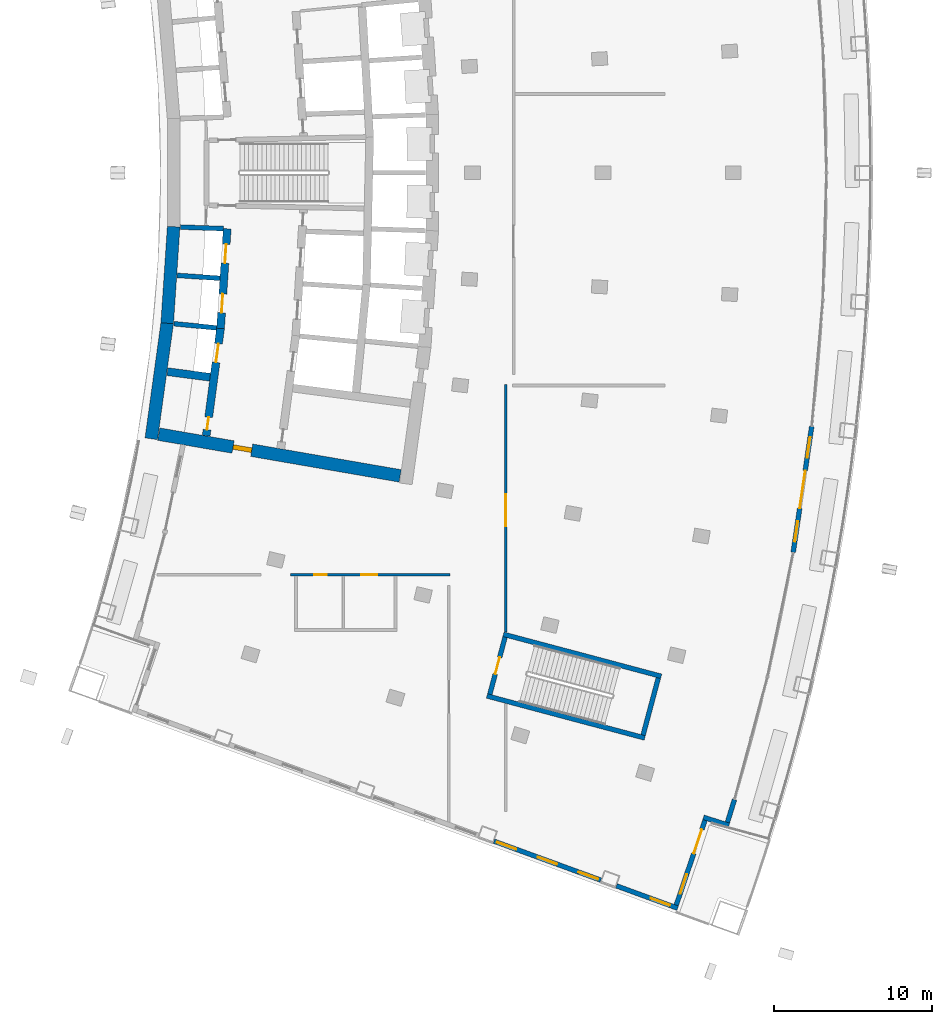
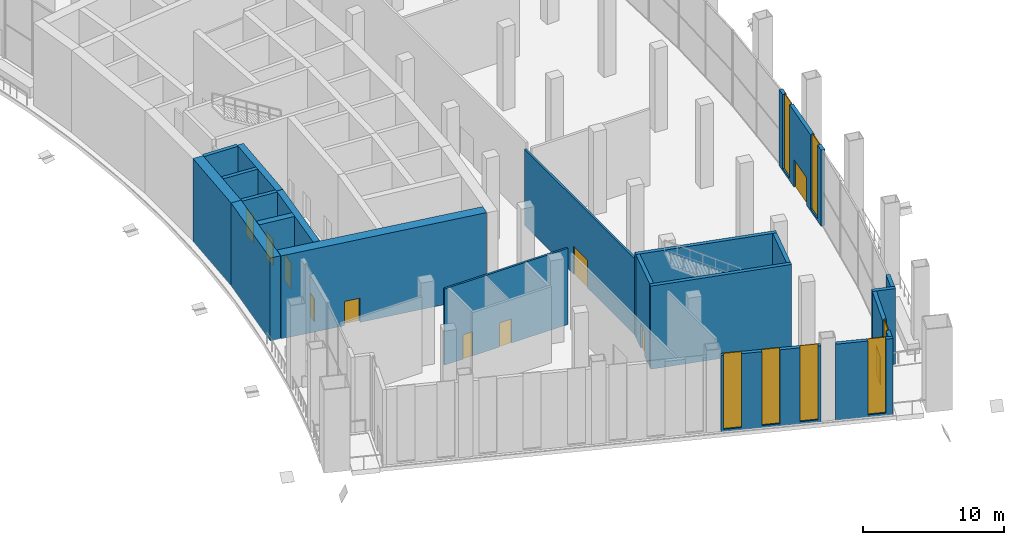
# One storey, part 9 of 18: 21 walls, 11 doors, 7 windows, 18 openings.
"""IFC4 building model written with IfcOpenShell, lengths in metres."""

from ifc_helpers import new_model, si_unit, direction, frame, frame_2d, origin, place, context, subcontext, project, spatial, rectangle, extrude, material, layer, layer_set, type_object, element, fill, save


model = new_model("IFC4")

# Units and contexts
model_context = context("Model", 3, precision=1e-05, world=origin(), true_north=direction((0.0, 1.0)))
body_context = subcontext(model_context, "Body", "Model", "MODEL_VIEW")
ifc_project = project(units=[si_unit("LENGTHUNIT", "METRE"), si_unit("AREAUNIT", "SQUARE_METRE"), si_unit("VOLUMEUNIT", "CUBIC_METRE"), si_unit("PLANEANGLEUNIT", "RADIAN"), si_unit("MASSUNIT", "GRAM", prefix="KILO")], contexts=[model_context])

# Site, building, storey
site_placement = place(None, origin())
site = spatial("IfcSite", under=ifc_project, at=site_placement, CompositionType="ELEMENT")
building_placement = place(site_placement, origin())
building = spatial("IfcBuilding", under=site, at=building_placement, Name="Alderwake Tower", CompositionType="ELEMENT")
storey_placement = place(building_placement, frame((0.0, 0.0, 125.60009765625)))
storey = spatial("IfcBuildingStorey", under=building, at=storey_placement, Name="L31", CompositionType="ELEMENT", Elevation=125.60009765625)

# Walls
ifc_material_1 = material(Name="Concrete C70/85", Category="concrete")
ifc_layer_1 = layer(ifc_material_1, 0.800048828125)
ifc_layer_set_1 = layer_set([ifc_layer_1], Name="Core wall outer 800 C70-85")
wall_type_1 = type_object("IfcWallType", Name="Core wall outer 800 C70-85", PredefinedType="SHEAR", material=ifc_layer_set_1)
wall_1_placement = place(storey_placement, frame((15.419921875, 44.12890625, 0.0), z_axis=(0.0, 0.0, 1.0), x_axis=(0.13634256868, 0.990661750531, 0.0)))
element("IfcWall", 1, at=wall_1_placement, inside=storey, type_object=wall_type_1, Name="Core wall CW.042", PredefinedType="SHEAR", context=body_context, shape_type="SweptSolid", body=[
    extrude(rectangle(XDim=7.42578125, YDim=0.800048828125, at=frame_2d((3.712890625, 0.0))), origin(), (0.0, 0.0, 1.0), 7.199951171875),
])
wall_2_placement = place(storey_placement, frame((16.429443359375, 51.45654296875, 0.0), z_axis=(0.0, 0.0, 1.0), x_axis=(0.066885651624, 0.997760647454, 0.0)))
element("IfcWall", 2, at=wall_2_placement, inside=storey, type_object=wall_type_1, Name="Core wall CW.041", PredefinedType="SHEAR", context=body_context, shape_type="SweptSolid", body=[
    extrude(rectangle(XDim=6.14306640625, YDim=0.800048828125, at=frame_2d((3.071533203125, 0.0))), origin(), (0.0, 0.0, 1.0), 7.199951171875),
])

# Wall, opening, door
wall_3_placement = place(storey_placement, frame((31.20458984375, 41.776611328125, 0.0), z_axis=(0.0, 0.0, 1.0), x_axis=(-0.985386537175, 0.170333121719, 0.0)))
wall_3 = element("IfcWall", 3, at=wall_3_placement, inside=storey, type_object=wall_type_1, Name="Core wall CW.071", PredefinedType="SHEAR", context=body_context, shape_type="SweptSolid", body=[
    extrude(rectangle(XDim=15.537109375, YDim=0.800048828125, at=frame_2d((7.7685546875, 0.0))), origin(), (0.0, 0.0, 1.0), 7.199951171875),
])
opening_1_placement = place(wall_3_placement, frame((9.5537109375, 0.0, 0.0)))
opening_1 = element("IfcOpeningElement", 4, at=opening_1_placement, cuts=wall_3, Name="Opening C003", PredefinedType="OPENING", context=body_context, shape_type="SweptSolid", body=[
    extrude(rectangle(XDim=1.199951171875, YDim=2.10009765625, at=frame_2d((0.60009765625, 1.050048828125))), frame((0.0, 0.409912109375, 0.0), z_axis=(0.0, -1.0, 0.0), x_axis=(1.0, 0.0, 0.0)), (0.0, 0.0, 1.0), 0.820068359375),
])
ifc_material_2 = material(Name="Steel-framed fire door leaf", Category="steel")
door_type_1 = type_object("IfcDoorType", Name="Core lobby exit door 1200 fire-rated", OperationType="SINGLE_SWING_LEFT", PredefinedType="DOOR", material=ifc_material_2)
door_1_placement = place(opening_1_placement, origin())
door_1 = element("IfcDoor", 5, at=door_1_placement, inside=storey, type_object=door_type_1, Name="Lobby door", OperationType="SINGLE_SWING_LEFT", OverallHeight=2.10009765625, OverallWidth=1.199951171875, PredefinedType="DOOR", context=body_context, shape_type="SweptSolid", body=[
    extrude(rectangle(XDim=1.199951171875, YDim=2.10009765625, at=frame_2d((0.60009765625, 1.050048828125))), frame((0.0, 0.14990234375, 0.0), z_axis=(0.0, -1.0, 0.0), x_axis=(1.0, 0.0, 0.0)), (0.0, 0.0, 1.0), 0.300048828125),
])
fill(opening_1, door_1)

# Walls
ifc_material_3 = material(Name="Concrete C70/85", Category="concrete")
ifc_layer_2 = layer(ifc_material_3, 0.300048828125)
ifc_layer_set_2 = layer_set([ifc_layer_2], Name="Core wall shaft 300 C70-85")
wall_type_2 = type_object("IfcWallType", Name="Core wall shaft 300 C70-85", PredefinedType="SHEAR", material=ifc_layer_set_2)
wall_4_placement = place(storey_placement, frame((16.8583984375, 51.4287109375, 0.0), z_axis=(0.0, 0.0, 1.0), x_axis=(0.995157330456, -0.098294901394, 0.0)))
element("IfcWall", 6, at=wall_4_placement, inside=storey, type_object=wall_type_2, Name="Core wall CW.065", PredefinedType="SHEAR", context=body_context, shape_type="SweptSolid", body=[
    extrude(rectangle(XDim=2.7197265625, YDim=0.300048828125, at=frame_2d((1.35986328125, 0.0))), origin(), (0.0, 0.0, 1.0), 7.199951171875),
])
wall_5_placement = place(storey_placement, frame((17.06396484375, 54.492919921875, 0.0), z_axis=(0.0, 0.0, 1.0), x_axis=(0.997758851023, -0.066912444326, 0.0)))
element("IfcWall", 7, at=wall_5_placement, inside=storey, type_object=wall_type_2, Name="Core wall CW.079", PredefinedType="SHEAR", context=body_context, shape_type="SweptSolid", body=[
    extrude(rectangle(XDim=2.71826171875, YDim=0.300048828125, at=frame_2d((1.359130859375, 0.0))), origin(), (0.0, 0.0, 1.0), 7.199951171875),
])
wall_6_placement = place(storey_placement, frame((17.269287109375, 57.556884765625, 0.0), z_axis=(0.0, 0.0, 1.0), x_axis=(0.999374351644, -0.035368139275, 0.0)))
element("IfcWall", 8, at=wall_6_placement, inside=storey, type_object=wall_type_2, Name="Core wall CW.076", PredefinedType="SHEAR", context=body_context, shape_type="SweptSolid", body=[
    extrude(rectangle(XDim=2.7197265625, YDim=0.300048828125, at=frame_2d((1.35986328125, 0.0))), origin(), (0.0, 0.0, 1.0), 7.199951171875),
])

# Wall, openings, doors
ifc_material_4 = material(Name="Concrete C70/85", Category="concrete")
ifc_layer_3 = layer(ifc_material_4, 0.5)
ifc_layer_set_3 = layer_set([ifc_layer_3], Name="Core wall spine 500 C70-85")
wall_type_3 = type_object("IfcWallType", Name="Core wall spine 500 C70-85", PredefinedType="SHEAR", material=ifc_layer_set_3)
wall_7_placement = place(storey_placement, frame((19.81494140625, 51.145263671875, 0.0), z_axis=(0.0, 0.0, 1.0), x_axis=(-0.132349652161, -0.991203091991, 0.0)))
wall_7 = element("IfcWall", 9, at=wall_7_placement, inside=storey, type_object=wall_type_3, Name="Core wall CW.033", PredefinedType="SHEAR", context=body_context, shape_type="SweptSolid", body=[
    extrude(rectangle(XDim=6.880615234375, YDim=0.5, at=frame_2d((3.4404296875, 0.0))), origin(), (0.0, 0.0, 1.0), 7.199951171875),
])
opening_2_placement = place(wall_7_placement, frame((0.99072265625, 0.0, 0.0)))
opening_2 = element("IfcOpeningElement", 10, at=opening_2_placement, cuts=wall_7, Name="Opening LD-LP1", PredefinedType="OPENING", context=body_context, shape_type="SweptSolid", body=[
    extrude(rectangle(XDim=1.199951171875, YDim=2.300048828125, at=frame_2d((0.60009765625, 1.14990234375))), frame((0.0, 0.260009765625, 0.0), z_axis=(0.0, -1.0, 0.0), x_axis=(1.0, 0.0, 0.0)), (0.0, 0.0, 1.0), 0.52001953125),
])
opening_3_placement = place(wall_7_placement, frame((5.698486328125, 0.0, 0.0)))
opening_3 = element("IfcOpeningElement", 11, at=opening_3_placement, cuts=wall_7, Name="Opening C007", PredefinedType="OPENING", context=body_context, shape_type="SweptSolid", body=[
    extrude(rectangle(XDim=0.800048828125, YDim=2.0, at=frame_2d((0.39990234375, 1.0))), frame((0.0, 0.260009765625, 0.0), z_axis=(0.0, -1.0, 0.0), x_axis=(1.0, 0.0, 0.0)), (0.0, 0.0, 1.0), 0.52001953125),
])
ifc_material_5 = material(Name="Stainless steel sliding leaf", Category="steel")
door_type_2 = type_object("IfcDoorType", Name="Lift landing door 1200", OperationType="SLIDING_TO_LEFT", PredefinedType="DOOR", material=ifc_material_5)
door_2_placement = place(opening_2_placement, origin())
door_2 = element("IfcDoor", 12, at=door_2_placement, inside=storey, type_object=door_type_2, Name="Lift landing door LP1", OperationType="SLIDING_TO_LEFT", OverallHeight=2.300048828125, OverallWidth=1.199951171875, PredefinedType="DOOR", context=body_context, shape_type="SweptSolid", body=[
    extrude(rectangle(XDim=1.199951171875, YDim=2.300048828125, at=frame_2d((0.60009765625, 1.14990234375))), frame((0.0, 0.02490234375, 0.0), z_axis=(0.0, -1.0, 0.0), x_axis=(1.0, 0.0, 0.0)), (0.0, 0.0, 1.0), 0.050048828125),
])
fill(opening_2, door_2)
ifc_material_6 = material(Name="Painted steel leaf, rated", Category="steel")
door_type_3 = type_object("IfcDoorType", Name="Riser access door 800", OperationType="SINGLE_SWING_LEFT", PredefinedType="DOOR", material=ifc_material_6)
door_3_placement = place(opening_3_placement, origin())
door_3 = element("IfcDoor", 13, at=door_3_placement, inside=storey, type_object=door_type_3, Name="Riser access door", OperationType="SINGLE_SWING_LEFT", OverallHeight=2.0, OverallWidth=0.800048828125, PredefinedType="DOOR", context=body_context, shape_type="SweptSolid", body=[
    extrude(rectangle(XDim=0.800048828125, YDim=2.0, at=frame_2d((0.39990234375, 1.0))), frame((0.0, 0.02490234375, 0.0), z_axis=(0.0, -1.0, 0.0), x_axis=(1.0, 0.0, 0.0)), (0.0, 0.0, 1.0), 0.050048828125),
])
fill(opening_3, door_3)

wall_8_placement = place(storey_placement, frame((19.813232421875, 51.1279296875, 0.0), z_axis=(0.0, 0.0, 1.0), x_axis=(0.066907604831, 0.997759175561, 0.0)))
wall_8 = element("IfcWall", 14, at=wall_8_placement, inside=storey, type_object=wall_type_3, Name="Core wall CW.032", PredefinedType="SHEAR", context=body_context, shape_type="SweptSolid", body=[
    extrude(rectangle(XDim=6.338134765625, YDim=0.5, at=frame_2d((3.1689453125, 0.0))), origin(), (0.0, 0.0, 1.0), 7.199951171875),
])
opening_4_placement = place(wall_8_placement, frame((0.990966796875, 0.0, 0.0)))
opening_4 = element("IfcOpeningElement", 15, at=opening_4_placement, cuts=wall_8, Name="Opening LD-LP2", PredefinedType="OPENING", context=body_context, shape_type="SweptSolid", body=[
    extrude(rectangle(XDim=1.199951171875, YDim=2.300048828125, at=frame_2d((0.60009765625, 1.14990234375))), frame((0.0, 0.260009765625, 0.0), z_axis=(0.0, -1.0, 0.0), x_axis=(1.0, 0.0, 0.0)), (0.0, 0.0, 1.0), 0.52001953125),
])
opening_5_placement = place(wall_8_placement, frame((4.156005859375, 0.0, 0.0)))
opening_5 = element("IfcOpeningElement", 16, at=opening_5_placement, cuts=wall_8, Name="Opening LD-LP3", PredefinedType="OPENING", context=body_context, shape_type="SweptSolid", body=[
    extrude(rectangle(XDim=1.199951171875, YDim=2.300048828125, at=frame_2d((0.60009765625, 1.14990234375))), frame((0.0, 0.260009765625, 0.0), z_axis=(0.0, -1.0, 0.0), x_axis=(1.0, 0.0, 0.0)), (0.0, 0.0, 1.0), 0.52001953125),
])
door_4_placement = place(opening_4_placement, origin())
door_4 = element("IfcDoor", 17, at=door_4_placement, inside=storey, type_object=door_type_2, Name="Lift landing door LP2", OperationType="SLIDING_TO_LEFT", OverallHeight=2.300048828125, OverallWidth=1.199951171875, PredefinedType="DOOR", context=body_context, shape_type="SweptSolid", body=[
    extrude(rectangle(XDim=1.199951171875, YDim=2.300048828125, at=frame_2d((0.60009765625, 1.14990234375))), frame((0.0, 0.02490234375, 0.0), z_axis=(0.0, -1.0, 0.0), x_axis=(1.0, 0.0, 0.0)), (0.0, 0.0, 1.0), 0.050048828125),
])
fill(opening_4, door_4)
door_5_placement = place(opening_5_placement, origin())
door_5 = element("IfcDoor", 18, at=door_5_placement, inside=storey, type_object=door_type_2, Name="Lift landing door LP3", OperationType="SLIDING_TO_LEFT", OverallHeight=2.300048828125, OverallWidth=1.199951171875, PredefinedType="DOOR", context=body_context, shape_type="SweptSolid", body=[
    extrude(rectangle(XDim=1.199951171875, YDim=2.300048828125, at=frame_2d((0.60009765625, 1.14990234375))), frame((0.0, 0.02490234375, 0.0), z_axis=(0.0, -1.0, 0.0), x_axis=(1.0, 0.0, 0.0)), (0.0, 0.0, 1.0), 0.050048828125),
])
fill(opening_5, door_5)

# Walls
wall_9_placement = place(storey_placement, frame((16.43994140625, 48.38623046875, 0.0), z_axis=(0.0, 0.0, 1.0), x_axis=(0.991557472006, -0.129667959452, 0.0)))
element("IfcWall", 19, at=wall_9_placement, inside=storey, type_object=wall_type_3, Name="Core wall CW.067", PredefinedType="SHEAR", context=body_context, shape_type="SweptSolid", body=[
    extrude(rectangle(XDim=2.72998046875, YDim=0.5, at=frame_2d((1.364990234375, 0.0))), origin(), (0.0, 0.0, 1.0), 7.199951171875),
])
ifc_material_7 = material(Name="Concrete C70/85", Category="concrete")
ifc_layer_4 = layer(ifc_material_7, 0.300048828125)
ifc_layer_set_4 = layer_set([ifc_layer_4], Name="Core wall stair enclosure 300 C70-85")
wall_type_4 = type_object("IfcWallType", Name="Core wall stair enclosure 300 C70-85", PredefinedType="SHEAR", material=ifc_layer_set_4)
for number, where, z_axis, x_axis, name in (
    (20, (37.75390625, 31.731201171875, 0.0), (0.0, 0.0, 1.0), (0.966309214305, -0.257383958996, 0.0), "Core wall CW.086"),
    (21, (36.71142578125, 27.817626953125, 0.0), (0.0, 0.0, 1.0), (0.966309214305, -0.257383958996, 0.0), "Core wall CW.088"),
):
    element("IfcWall", number, at=place(storey_placement, frame(where, z_axis=z_axis, x_axis=x_axis)), inside=storey, type_object=wall_type_4, Name=name, PredefinedType="SHEAR", context=body_context, shape_type="SweptSolid", body=[
        extrude(rectangle(XDim=10.360107421875, YDim=0.300048828125, at=frame_2d((5.18017578125, 0.0))), origin(), (0.0, 0.0, 1.0), 7.199951171875),
    ])

# Wall, opening, door
wall_10_placement = place(storey_placement, frame((36.89501953125, 27.923828125, 0.0), z_axis=(0.0, 0.0, 1.0), x_axis=(0.257350630826, 0.966318090907, 0.0)))
wall_10 = element("IfcWall", 22, at=wall_10_placement, inside=storey, type_object=wall_type_4, Name="Core wall CW.087", PredefinedType="SHEAR", context=body_context, shape_type="SweptSolid", body=[
    extrude(rectangle(XDim=3.75, YDim=0.300048828125, at=frame_2d((1.875, 0.0))), origin(), (0.0, 0.0, 1.0), 7.199951171875),
])
opening_6_placement = place(wall_10_placement, frame((1.324951171875, 0.0, 0.0)))
opening_6 = element("IfcOpeningElement", 23, at=opening_6_placement, cuts=wall_10, Name="Opening C065", PredefinedType="OPENING", context=body_context, shape_type="SweptSolid", body=[
    extrude(rectangle(XDim=1.10009765625, YDim=2.10009765625, at=frame_2d((0.550048828125, 1.050048828125))), frame((0.0, 0.159912109375, 0.0), z_axis=(0.0, -1.0, 0.0), x_axis=(1.0, 0.0, 0.0)), (0.0, 0.0, 1.0), 0.320068359375),
])
ifc_material_8 = material(Name="Steel-framed fire door leaf", Category="steel")
door_type_4 = type_object("IfcDoorType", Name="Core stair door 1100 fire-rated", OperationType="SINGLE_SWING_LEFT", PredefinedType="DOOR", material=ifc_material_8)
door_6_placement = place(opening_6_placement, origin())
door_6 = element("IfcDoor", 24, at=door_6_placement, inside=storey, type_object=door_type_4, Name="Stair door", OperationType="SINGLE_SWING_LEFT", OverallHeight=2.10009765625, OverallWidth=1.10009765625, PredefinedType="DOOR", context=body_context, shape_type="SweptSolid", body=[
    extrude(rectangle(XDim=1.10009765625, YDim=2.10009765625, at=frame_2d((0.550048828125, 1.050048828125))), frame((0.0, 0.02490234375, 0.0), z_axis=(0.0, -1.0, 0.0), x_axis=(1.0, 0.0, 0.0)), (0.0, 0.0, 1.0), 0.050048828125),
])
fill(opening_6, door_6)

# Wall
wall_11_placement = place(storey_placement, frame((46.6162109375, 25.334716796875, 0.0), z_axis=(0.0, 0.0, 1.0), x_axis=(0.257366821694, 0.966313778796, 0.0)))
element("IfcWall", 25, at=wall_11_placement, inside=storey, type_object=wall_type_4, Name="Core wall CW.085", PredefinedType="SHEAR", context=body_context, shape_type="SweptSolid", body=[
    extrude(rectangle(XDim=3.749755859375, YDim=0.300048828125, at=frame_2d((1.875, 0.0))), origin(), (0.0, 0.0, 1.0), 7.199951171875),
])

# Wall, openings, doors
ifc_material_9 = material(Name="Gypsum board on metal studs, rated")
ifc_layer_5 = layer(ifc_material_9, 0.159912109375)
ifc_layer_set_5 = layer_set([ifc_layer_5], Name="Corridor wall 160")
wall_type_5 = type_object("IfcWallType", Name="Corridor wall 160", PredefinedType="PARTITIONING", material=ifc_layer_set_5)
wall_12_placement = place(storey_placement, frame((24.258056640625, 35.4990234375, 0.0), z_axis=(0.0, 0.0, 1.0), x_axis=(1.0, 0.0, 0.0)))
wall_12 = element("IfcWall", 26, at=wall_12_placement, inside=storey, type_object=wall_type_5, Name="WL/L31/W12", PredefinedType="PARTITIONING", context=body_context, shape_type="SweptSolid", body=[
    extrude(rectangle(XDim=10.120849609375, YDim=0.159912109375, at=frame_2d((5.060546875, 0.0))), origin(), (0.0, 0.0, 1.0), 6.599853515625),
])
opening_7_placement = place(wall_12_placement, frame((1.491943359375, 0.0, 0.0)))
opening_7 = element("IfcOpeningElement", 27, at=opening_7_placement, cuts=wall_12, Name="Opening L31-07", PredefinedType="OPENING", context=body_context, shape_type="SweptSolid", body=[
    extrude(rectangle(XDim=0.800048828125, YDim=2.10009765625, at=frame_2d((0.39990234375, 1.050048828125))), frame((0.0, 0.08984375, 0.0), z_axis=(0.0, -1.0, 0.0), x_axis=(1.0, 0.0, 0.0)), (0.0, 0.0, 1.0), 0.179931640625),
])
opening_8_placement = place(wall_12_placement, frame((4.491943359375, 0.0, 0.0)))
opening_8 = element("IfcOpeningElement", 28, at=opening_8_placement, cuts=wall_12, Name="Opening L31-08", PredefinedType="OPENING", context=body_context, shape_type="SweptSolid", body=[
    extrude(rectangle(XDim=1.0, YDim=2.10009765625, at=frame_2d((0.5, 1.050048828125))), frame((0.0, 0.08984375, 0.0), z_axis=(0.0, -1.0, 0.0), x_axis=(1.0, 0.0, 0.0)), (0.0, 0.0, 1.0), 0.179931640625),
])
ifc_material_10 = material(Name="Painted timber leaf", Category="wood")
door_type_5 = type_object("IfcDoorType", Name="Accessible WC door 1000", OperationType="SINGLE_SWING_LEFT", PredefinedType="DOOR", material=ifc_material_10)
door_7_placement = place(opening_8_placement, origin())
door_7 = element("IfcDoor", 29, at=door_7_placement, inside=storey, type_object=door_type_5, Name="DR/L31/08", OperationType="SINGLE_SWING_LEFT", OverallHeight=2.10009765625, OverallWidth=1.0, PredefinedType="DOOR", context=body_context, shape_type="SweptSolid", body=[
    extrude(rectangle(XDim=1.0, YDim=2.10009765625, at=frame_2d((0.5, 1.050048828125))), frame((0.0, 0.02490234375, 0.0), z_axis=(0.0, -1.0, 0.0), x_axis=(1.0, 0.0, 0.0)), (0.0, 0.0, 1.0), 0.050048828125),
])
fill(opening_8, door_7)
ifc_material_11 = material(Name="Painted timber leaf", Category="wood")
door_type_6 = type_object("IfcDoorType", Name="Bathroom door 800", OperationType="SINGLE_SWING_LEFT", PredefinedType="DOOR", material=ifc_material_11)
door_8_placement = place(opening_7_placement, origin())
door_8 = element("IfcDoor", 30, at=door_8_placement, inside=storey, type_object=door_type_6, Name="DR/L31/07", OperationType="SINGLE_SWING_LEFT", OverallHeight=2.10009765625, OverallWidth=0.800048828125, PredefinedType="DOOR", context=body_context, shape_type="SweptSolid", body=[
    extrude(rectangle(XDim=0.800048828125, YDim=2.10009765625, at=frame_2d((0.39990234375, 1.050048828125))), frame((0.0, 0.02490234375, 0.0), z_axis=(0.0, -1.0, 0.0), x_axis=(1.0, 0.0, 0.0)), (0.0, 0.0, 1.0), 0.050048828125),
])
fill(opening_7, door_8)

# Wall, opening, door
wall_13_placement = place(storey_placement, frame((37.89892578125, 31.867919921875, 0.0), z_axis=(0.0, 0.0, 1.0), x_axis=(0.0, 1.0, 0.0)))
wall_13 = element("IfcWall", 31, at=wall_13_placement, inside=storey, type_object=wall_type_5, Name="WL/L31/W17", PredefinedType="PARTITIONING", context=body_context, shape_type="SweptSolid", body=[
    extrude(rectangle(XDim=15.711181640625, YDim=0.159912109375, at=frame_2d((7.85546875, 0.0))), origin(), (0.0, 0.0, 1.0), 6.599853515625),
])
opening_9_placement = place(wall_13_placement, frame((6.7294921875, 0.0, 0.0)))
opening_9 = element("IfcOpeningElement", 32, at=opening_9_placement, cuts=wall_13, Name="Opening L31-01", PredefinedType="OPENING", context=body_context, shape_type="SweptSolid", body=[
    extrude(rectangle(XDim=2.0, YDim=2.39990234375, at=frame_2d((1.0, 1.199951171875))), frame((0.0, 0.08984375, 0.0), z_axis=(0.0, -1.0, 0.0), x_axis=(1.0, 0.0, 0.0)), (0.0, 0.0, 1.0), 0.179931640625),
])
ifc_material_12 = material(Name="Timber leaves with glazed panels", Category="wood")
door_type_7 = type_object("IfcDoorType", Name="Hall double door 2000", OperationType="DOUBLE_DOOR_SINGLE_SWING", PredefinedType="DOOR", material=ifc_material_12)
door_9_placement = place(opening_9_placement, origin())
door_9 = element("IfcDoor", 33, at=door_9_placement, inside=storey, type_object=door_type_7, Name="DR/L31/01", OperationType="DOUBLE_DOOR_SINGLE_SWING", OverallHeight=2.39990234375, OverallWidth=2.0, PredefinedType="DOOR", context=body_context, shape_type="SweptSolid", body=[
    extrude(rectangle(XDim=2.0, YDim=2.39990234375, at=frame_2d((1.0, 1.199951171875))), frame((0.0, 0.02490234375, 0.0), z_axis=(0.0, -1.0, 0.0), x_axis=(1.0, 0.0, 0.0)), (0.0, 0.0, 1.0), 0.050048828125),
])
fill(opening_9, door_9)

# Wall
ifc_material_13 = material(Name="Precast concrete C50/60 spandrel panel", Category="concrete")
ifc_layer_6 = layer(ifc_material_13, 0.300048828125)
ifc_layer_set_6 = layer_set([ifc_layer_6], Name="External wall EW1 Precast concrete C50/60 spandrel")
wall_type_6 = type_object("IfcWallType", Name="External wall EW1 Precast concrete C50/60 spandrel", PredefinedType="SOLIDWALL", material=ifc_layer_set_6)
wall_14_placement = place(storey_placement, frame((51.964599609375, 19.797607421875, 0.0), z_axis=(0.0, 0.0, 1.0), x_axis=(0.294504471049, 0.955650101518, 0.0)))
element("IfcWall", 34, at=wall_14_placement, inside=storey, type_object=wall_type_6, Name="External wall 15", PredefinedType="SOLIDWALL", context=body_context, shape_type="SweptSolid", body=[
    extrude(rectangle(XDim=1.51611328125, YDim=0.300048828125, at=frame_2d((0.758056640625, 0.0))), origin(), (0.0, 0.0, 1.0), 6.599853515625),
])

# Wall, openings, door, windows
wall_15_placement = place(storey_placement, frame((56.13818359375, 36.927978515625, 0.0), z_axis=(0.0, 0.0, 1.0), x_axis=(0.145305781648, 0.989386794848, 0.0)))
wall_15 = element("IfcWall", 35, at=wall_15_placement, inside=storey, type_object=wall_type_6, Name="External wall 16", PredefinedType="SOLIDWALL", context=body_context, shape_type="SweptSolid", body=[
    extrude(rectangle(XDim=8.066650390625, YDim=0.300048828125, at=frame_2d((4.033203125, 0.0))), origin(), (0.0, 0.0, 1.0), 6.599853515625),
])
opening_10_placement = place(wall_15_placement, frame((0.6943359375, 0.0, 0.199951171875)))
opening_10 = element("IfcOpeningElement", 36, at=opening_10_placement, cuts=wall_15, Name="Opening W5", PredefinedType="OPENING", context=body_context, shape_type="SweptSolid", body=[
    extrude(rectangle(XDim=1.300048828125, YDim=6.5, at=frame_2d((0.64990234375, 3.25))), frame((0.0, 0.159912109375, 0.0), z_axis=(0.0, -1.0, 0.0), x_axis=(1.0, 0.0, 0.0)), (0.0, 0.0, 1.0), 0.320068359375),
])
opening_11_placement = place(wall_15_placement, frame((2.833251953125, 0.0, 0.0)))
opening_11 = element("IfcOpeningElement", 37, at=opening_11_placement, cuts=wall_15, Name="Opening D05", PredefinedType="OPENING", context=body_context, shape_type="SweptSolid", body=[
    extrude(rectangle(XDim=2.39990234375, YDim=2.39990234375, at=frame_2d((1.199951171875, 1.199951171875))), frame((0.0, 0.159912109375, 0.0), z_axis=(0.0, -1.0, 0.0), x_axis=(1.0, 0.0, 0.0)), (0.0, 0.0, 1.0), 0.320068359375),
])
opening_12_placement = place(wall_15_placement, frame((6.072021484375, 0.0, 0.199951171875)))
opening_12 = element("IfcOpeningElement", 38, at=opening_12_placement, cuts=wall_15, Name="Opening W5", PredefinedType="OPENING", context=body_context, shape_type="SweptSolid", body=[
    extrude(rectangle(XDim=1.300048828125, YDim=6.5, at=frame_2d((0.64990234375, 3.25))), frame((0.0, 0.159912109375, 0.0), z_axis=(0.0, -1.0, 0.0), x_axis=(1.0, 0.0, 0.0)), (0.0, 0.0, 1.0), 0.320068359375),
])
ifc_material_14 = material(Name="Bronze tinted glass in aluminium frame", Category="aluminium")
door_type_8 = type_object("IfcDoorType", Name="Garden door GD sliding", OperationType="DOUBLE_DOOR_SINGLE_SWING", PredefinedType="DOOR", material=ifc_material_14)
door_10_placement = place(opening_11_placement, origin())
door_10 = element("IfcDoor", 39, at=door_10_placement, inside=storey, type_object=door_type_8, Name="Door D05", OperationType="DOUBLE_DOOR_SINGLE_SWING", OverallHeight=2.39990234375, OverallWidth=2.39990234375, PredefinedType="DOOR", context=body_context, shape_type="SweptSolid", body=[
    extrude(rectangle(XDim=2.39990234375, YDim=2.39990234375, at=frame_2d((1.199951171875, 1.199951171875))), frame((0.0, 0.02490234375, 0.0), z_axis=(0.0, -1.0, 0.0), x_axis=(1.0, 0.0, 0.0)), (0.0, 0.0, 1.0), 0.050048828125),
])
fill(opening_11, door_10)
ifc_material_15 = material(Name="Bronze tinted glass in aluminium frame", Category="aluminium")
window_type = type_object("IfcWindowType", Name="Window W5 garden floor tall", PartitioningType="SINGLE_PANEL", PredefinedType="WINDOW", material=ifc_material_15)
window_1_placement = place(opening_10_placement, origin())
window_1 = element("IfcWindow", 40, at=window_1_placement, inside=storey, type_object=window_type, Name="Window W5 garden floor tall", OverallHeight=6.5, OverallWidth=1.300048828125, PartitioningType="SINGLE_PANEL", PredefinedType="WINDOW", context=body_context, shape_type="SweptSolid", body=[
    extrude(rectangle(XDim=1.300048828125, YDim=6.5, at=frame_2d((0.64990234375, 3.25))), frame((0.0, 0.030029296875, 0.0), z_axis=(0.0, -1.0, 0.0), x_axis=(1.0, 0.0, 0.0)), (0.0, 0.0, 1.0), 0.06005859375),
])
fill(opening_10, window_1)
window_2_placement = place(opening_12_placement, origin())
window_2 = element("IfcWindow", 41, at=window_2_placement, inside=storey, type_object=window_type, Name="Window W5 garden floor tall", OverallHeight=6.5, OverallWidth=1.300048828125, PartitioningType="SINGLE_PANEL", PredefinedType="WINDOW", context=body_context, shape_type="SweptSolid", body=[
    extrude(rectangle(XDim=1.300048828125, YDim=6.5, at=frame_2d((0.64990234375, 3.25))), frame((0.0, 0.030029296875, 0.0), z_axis=(0.0, -1.0, 0.0), x_axis=(1.0, 0.0, 0.0)), (0.0, 0.0, 1.0), 0.06005859375),
])
fill(opening_12, window_2)

# Wall, openings, windows
ifc_material_16 = material(Name="Bronze metal cladding on lightweight framing")
ifc_layer_7 = layer(ifc_material_16, 0.300048828125)
ifc_layer_set_7 = layer_set([ifc_layer_7], Name="External wall EW2 bronze metal cladding")
wall_type_7 = type_object("IfcWallType", Name="External wall EW2 bronze metal cladding", PredefinedType="SOLIDWALL", material=ifc_layer_set_7)
wall_16_placement = place(storey_placement, frame((37.15869140625, 18.6064453125, 0.0), z_axis=(0.0, 0.0, 1.0), x_axis=(0.939364762064, -0.342919587939, 0.0)))
wall_16 = element("IfcWall", 42, at=wall_16_placement, inside=storey, type_object=wall_type_7, Name="External wall 11", PredefinedType="SOLIDWALL", context=body_context, shape_type="SweptSolid", body=[
    extrude(rectangle(XDim=7.212646484375, YDim=0.300048828125, at=frame_2d((3.6064453125, 0.0))), origin(), (0.0, 0.0, 1.0), 6.599853515625),
])
opening_13_placement = place(wall_16_placement, frame((0.20068359375, 0.0, 0.199951171875)))
opening_13 = element("IfcOpeningElement", 43, at=opening_13_placement, cuts=wall_16, Name="Opening W5", PredefinedType="OPENING", context=body_context, shape_type="SweptSolid", body=[
    extrude(rectangle(XDim=1.300048828125, YDim=6.5, at=frame_2d((0.64990234375, 3.25))), frame((0.0, 0.159912109375, 0.0), z_axis=(0.0, -1.0, 0.0), x_axis=(1.0, 0.0, 0.0)), (0.0, 0.0, 1.0), 0.320068359375),
])
opening_14_placement = place(wall_16_placement, frame((2.956298828125, 0.0, 0.199951171875)))
opening_14 = element("IfcOpeningElement", 44, at=opening_14_placement, cuts=wall_16, Name="Opening W5", PredefinedType="OPENING", context=body_context, shape_type="SweptSolid", body=[
    extrude(rectangle(XDim=1.300048828125, YDim=6.5, at=frame_2d((0.64990234375, 3.25))), frame((0.0, 0.159912109375, 0.0), z_axis=(0.0, -1.0, 0.0), x_axis=(1.0, 0.0, 0.0)), (0.0, 0.0, 1.0), 0.320068359375),
])
opening_15_placement = place(wall_16_placement, frame((5.7119140625, 0.0, 0.199951171875)))
opening_15 = element("IfcOpeningElement", 45, at=opening_15_placement, cuts=wall_16, Name="Opening W5", PredefinedType="OPENING", context=body_context, shape_type="SweptSolid", body=[
    extrude(rectangle(XDim=1.300048828125, YDim=6.5, at=frame_2d((0.64990234375, 3.25))), frame((0.0, 0.159912109375, 0.0), z_axis=(0.0, -1.0, 0.0), x_axis=(1.0, 0.0, 0.0)), (0.0, 0.0, 1.0), 0.320068359375),
])
window_3_placement = place(opening_13_placement, origin())
window_3 = element("IfcWindow", 46, at=window_3_placement, inside=storey, type_object=window_type, Name="Window W5 garden floor tall", OverallHeight=6.5, OverallWidth=1.300048828125, PartitioningType="SINGLE_PANEL", PredefinedType="WINDOW", context=body_context, shape_type="SweptSolid", body=[
    extrude(rectangle(XDim=1.300048828125, YDim=6.5, at=frame_2d((0.64990234375, 3.25))), frame((0.0, 0.030029296875, 0.0), z_axis=(0.0, -1.0, 0.0), x_axis=(1.0, 0.0, 0.0)), (0.0, 0.0, 1.0), 0.06005859375),
])
fill(opening_13, window_3)
window_4_placement = place(opening_14_placement, origin())
window_4 = element("IfcWindow", 47, at=window_4_placement, inside=storey, type_object=window_type, Name="Window W5 garden floor tall", OverallHeight=6.5, OverallWidth=1.300048828125, PartitioningType="SINGLE_PANEL", PredefinedType="WINDOW", context=body_context, shape_type="SweptSolid", body=[
    extrude(rectangle(XDim=1.300048828125, YDim=6.5, at=frame_2d((0.64990234375, 3.25))), frame((0.0, 0.030029296875, 0.0), z_axis=(0.0, -1.0, 0.0), x_axis=(1.0, 0.0, 0.0)), (0.0, 0.0, 1.0), 0.06005859375),
])
fill(opening_14, window_4)
window_5_placement = place(opening_15_placement, origin())
window_5 = element("IfcWindow", 48, at=window_5_placement, inside=storey, type_object=window_type, Name="Window W5 garden floor tall", OverallHeight=6.5, OverallWidth=1.300048828125, PartitioningType="SINGLE_PANEL", PredefinedType="WINDOW", context=body_context, shape_type="SweptSolid", body=[
    extrude(rectangle(XDim=1.300048828125, YDim=6.5, at=frame_2d((0.64990234375, 3.25))), frame((0.0, 0.030029296875, 0.0), z_axis=(0.0, -1.0, 0.0), x_axis=(1.0, 0.0, 0.0)), (0.0, 0.0, 1.0), 0.06005859375),
])
fill(opening_15, window_5)

# Wall, opening, window
wall_17_placement = place(storey_placement, frame((44.924072265625, 15.771728515625, 0.0), z_axis=(0.0, 0.0, 1.0), x_axis=(0.939377533493, -0.34288460095, 0.0)))
wall_17 = element("IfcWall", 49, at=wall_17_placement, inside=storey, type_object=wall_type_7, Name="External wall 12", PredefinedType="SOLIDWALL", context=body_context, shape_type="SweptSolid", body=[
    extrude(rectangle(XDim=4.137451171875, YDim=0.300048828125, at=frame_2d((2.06884765625, 0.0))), origin(), (0.0, 0.0, 1.0), 6.599853515625),
])
opening_16_placement = place(wall_17_placement, frame((2.321533203125, 0.0, 0.199951171875)))
opening_16 = element("IfcOpeningElement", 50, at=opening_16_placement, cuts=wall_17, Name="Opening W5", PredefinedType="OPENING", context=body_context, shape_type="SweptSolid", body=[
    extrude(rectangle(XDim=1.300048828125, YDim=6.5, at=frame_2d((0.64990234375, 3.25))), frame((0.0, 0.159912109375, 0.0), z_axis=(0.0, -1.0, 0.0), x_axis=(1.0, 0.0, 0.0)), (0.0, 0.0, 1.0), 0.320068359375),
])
window_6_placement = place(opening_16_placement, origin())
window_6 = element("IfcWindow", 51, at=window_6_placement, inside=storey, type_object=window_type, Name="Window W5 garden floor tall", OverallHeight=6.5, OverallWidth=1.300048828125, PartitioningType="SINGLE_PANEL", PredefinedType="WINDOW", context=body_context, shape_type="SweptSolid", body=[
    extrude(rectangle(XDim=1.300048828125, YDim=6.5, at=frame_2d((0.64990234375, 3.25))), frame((0.0, 0.030029296875, 0.0), z_axis=(0.0, -1.0, 0.0), x_axis=(1.0, 0.0, 0.0)), (0.0, 0.0, 1.0), 0.06005859375),
])
fill(opening_16, window_6)

# Wall, openings, door, window
wall_18_placement = place(storey_placement, frame((48.718017578125, 14.54638671875, 0.0), z_axis=(0.0, 0.0, 1.0), x_axis=(0.320898962685, 0.947113433411, 0.0)))
wall_18 = element("IfcWall", 52, at=wall_18_placement, inside=storey, type_object=wall_type_7, Name="External wall 13", PredefinedType="SOLIDWALL", context=body_context, shape_type="SweptSolid", body=[
    extrude(rectangle(XDim=5.68701171875, YDim=0.300048828125, at=frame_2d((2.843505859375, 0.0))), origin(), (0.0, 0.0, 1.0), 6.599853515625),
])
opening_17_placement = place(wall_18_placement, frame((0.771728515625, 0.0, 0.199951171875)))
opening_17 = element("IfcOpeningElement", 53, at=opening_17_placement, cuts=wall_18, Name="Opening W5", PredefinedType="OPENING", context=body_context, shape_type="SweptSolid", body=[
    extrude(rectangle(XDim=1.300048828125, YDim=6.5, at=frame_2d((0.64990234375, 3.25))), frame((0.0, 0.159912109375, 0.0), z_axis=(0.0, -1.0, 0.0), x_axis=(1.0, 0.0, 0.0)), (0.0, 0.0, 1.0), 0.320068359375),
])
opening_18_placement = place(wall_18_placement, frame((3.465087890625, 0.0, 0.0)))
opening_18 = element("IfcOpeningElement", 54, at=opening_18_placement, cuts=wall_18, Name="Opening D04", PredefinedType="OPENING", context=body_context, shape_type="SweptSolid", body=[
    extrude(rectangle(XDim=1.60009765625, YDim=2.39990234375, at=frame_2d((0.800048828125, 1.199951171875))), frame((0.0, 0.159912109375, 0.0), z_axis=(0.0, -1.0, 0.0), x_axis=(1.0, 0.0, 0.0)), (0.0, 0.0, 1.0), 0.320068359375),
])
ifc_material_17 = material(Name="Bronze tinted glass in aluminium frame", Category="aluminium")
door_type_9 = type_object("IfcDoorType", Name="Terrace door TD sliding", OperationType="SLIDING_TO_LEFT", PredefinedType="DOOR", material=ifc_material_17)
door_11_placement = place(opening_18_placement, origin())
door_11 = element("IfcDoor", 55, at=door_11_placement, inside=storey, type_object=door_type_9, Name="Door D04", OperationType="SLIDING_TO_LEFT", OverallHeight=2.39990234375, OverallWidth=1.60009765625, PredefinedType="DOOR", context=body_context, shape_type="SweptSolid", body=[
    extrude(rectangle(XDim=1.60009765625, YDim=2.39990234375, at=frame_2d((0.800048828125, 1.199951171875))), frame((0.0, 0.02490234375, 0.0), z_axis=(0.0, -1.0, 0.0), x_axis=(1.0, 0.0, 0.0)), (0.0, 0.0, 1.0), 0.050048828125),
])
fill(opening_18, door_11)
window_7_placement = place(opening_17_placement, origin())
window_7 = element("IfcWindow", 56, at=window_7_placement, inside=storey, type_object=window_type, Name="Window W5 garden floor tall", OverallHeight=6.5, OverallWidth=1.300048828125, PartitioningType="SINGLE_PANEL", PredefinedType="WINDOW", context=body_context, shape_type="SweptSolid", body=[
    extrude(rectangle(XDim=1.300048828125, YDim=6.5, at=frame_2d((0.64990234375, 3.25))), frame((0.0, 0.030029296875, 0.0), z_axis=(0.0, -1.0, 0.0), x_axis=(1.0, 0.0, 0.0)), (0.0, 0.0, 1.0), 0.06005859375),
])
fill(opening_17, window_7)

# Wall
wall_19_placement = place(storey_placement, frame((50.447998046875, 20.119873046875, 0.0), z_axis=(0.0, 0.0, 1.0), x_axis=(0.953441010789, -0.301579573157, 0.0)))
element("IfcWall", 57, at=wall_19_placement, inside=storey, type_object=wall_type_7, Name="External wall 14", PredefinedType="SOLIDWALL", context=body_context, shape_type="SweptSolid", body=[
    extrude(rectangle(XDim=1.6943359375, YDim=0.300048828125, at=frame_2d((0.84716796875, 0.0))), origin(), (0.0, 0.0, 1.0), 6.599853515625),
])

save(model, "model.ifc")
